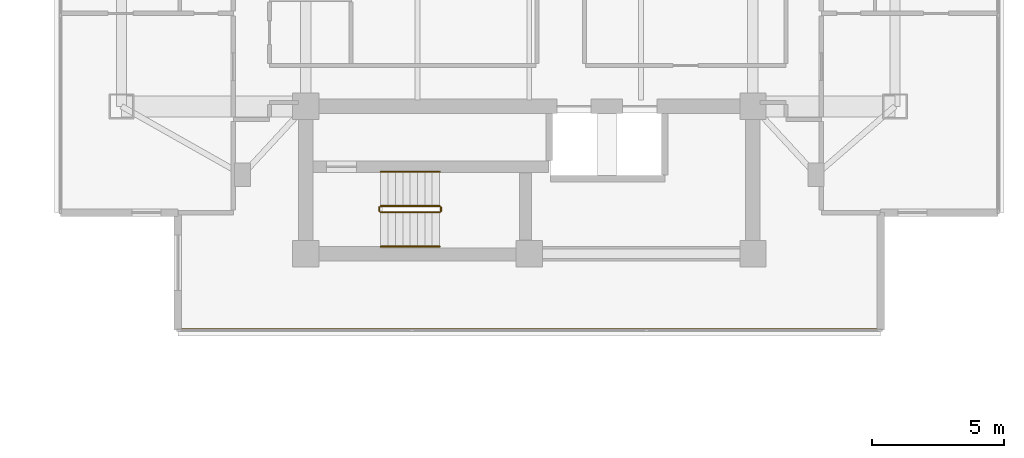
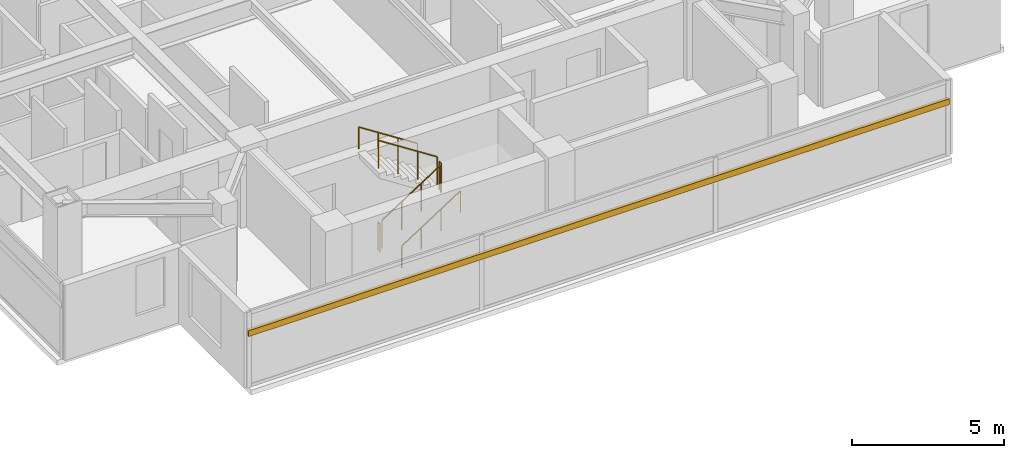
# One storey, part 24 of 26: 6 railings, 1 shading device.
"""IFC4 building model written with IfcOpenShell, lengths in metres."""

from ifc_helpers import new_model, si_unit, direction, frame, origin, origin_2d, place, context, subcontext, project, spatial, rectangle, circle, extrude, material, material_profile, profile_set, type_object, element, save


model = new_model("IFC4")

# Units and contexts
model_context = context("Model", 3, precision=1e-05, world=origin(), true_north=direction((0.0, 1.0)))
body_context = subcontext(model_context, "Body", "Model", "MODEL_VIEW")
ifc_project = project(units=[si_unit("LENGTHUNIT", "METRE"), si_unit("AREAUNIT", "SQUARE_METRE"), si_unit("VOLUMEUNIT", "CUBIC_METRE"), si_unit("PLANEANGLEUNIT", "RADIAN"), si_unit("MASSUNIT", "GRAM", prefix="KILO")], contexts=[model_context])

# Site, building, storey
site_placement = place(None, origin())
site = spatial("IfcSite", under=ifc_project, at=site_placement, CompositionType="ELEMENT")
building_placement = place(site_placement, origin())
building = spatial("IfcBuilding", under=site, at=building_placement, Name="Mirazonda Arch Towers", CompositionType="ELEMENT")
storey_placement = place(building_placement, frame((0.0, 0.0, 170.64990234375)))
storey = spatial("IfcBuildingStorey", under=building, at=storey_placement, Name="L48", CompositionType="ELEMENT", Elevation=170.64990234375)

# Shading device
ifc_material_1 = material(Name="Kiln-Fired Architectural Terracotta", Category="masonry")
ifc_material_profile = material_profile(ifc_material_1, rectangle(XDim=0.1201171875, YDim=0.239990234375, at=origin_2d()), Name="TERRA-BAG-120x240")
ifc_profile_set = profile_set([ifc_material_profile], Name="Kiln-Fired Architectural Terracotta")
shading_device_type = type_object("IfcShadingDeviceType", Name="BAGUETTE-1", PredefinedType="USERDEFINED", material=ifc_profile_set)
shading_device_placement = place(storey_placement, frame((89.857421875, 12.2919921875, 2.181640625), z_axis=(-1.0, 0.0, 0.0), x_axis=(0.0, -1.0, 0.0)))
element("IfcShadingDevice", 1, at=shading_device_placement, inside=storey, type_object=shading_device_type, Name="L48 Glazed Terracotta Sun-Screen Baguette CW-L48-T2-S", ObjectType="BAGUETTE", PredefinedType="USERDEFINED", context=body_context, shape_type="SweptSolid", body=[
    extrude(rectangle(XDim=0.1201171875, YDim=0.239990234375, at=origin_2d()), origin(), (0.0, 0.0, 1.0), 26.71484375),
])

# Railings
ifc_material_2 = material(Name="Architectural Brushed Steel S355", Category="steel")
railing_type_1 = type_object("IfcRailingType", Name="GUARD-STAIR-1120", PredefinedType="GUARDRAIL", material=ifc_material_2)
railing_1_placement = place(storey_placement, frame((70.85009765625, 16.77001953125, 0.1806640625)))
element("IfcRailing", 2, at=railing_1_placement, inside=storey, type_object=railing_type_1, Name="L48 ST-T2S stair guard 1", PredefinedType="GUARDRAIL", context=body_context, shape_type="SweptSolid", body=[
    extrude(circle(Radius=0.02392578125, at=origin_2d()), frame((0.0, 0.0, 1.1259765625), z_axis=(0.840436612492, 0.0, 0.541909863706), x_axis=(0.0, 1.0, 0.0)), (0.0, 0.0, 1.0), 2.665283203125),
    extrude(circle(Radius=0.02099609375, at=origin_2d()), origin(), (0.0, 0.0, 1.0), 1.101806640625),
    extrude(circle(Radius=0.02099609375, at=origin_2d()), frame((0.74658203125, 0.0, 0.4814453125)), (0.0, 0.0, 1.0), 1.101806640625),
    extrude(circle(Radius=0.02099609375, at=origin_2d()), frame((1.493408203125, 0.0, 0.962890625)), (0.0, 0.0, 1.0), 1.101806640625),
    extrude(circle(Radius=0.02099609375, at=origin_2d()), frame((2.239990234375, 0.0, 1.4443359375)), (0.0, 0.0, 1.0), 1.101806640625),
])
railing_2_placement = place(storey_placement, frame((73.139892578125, 16.820068359375, 1.625)))
element("IfcRailing", 3, at=railing_2_placement, inside=storey, type_object=railing_type_1, Name="L48 ST-T2S stair guard 2", PredefinedType="GUARDRAIL", context=body_context, shape_type="SweptSolid", body=[
    extrude(circle(Radius=0.02392578125, at=origin_2d()), frame((0.0, 0.0, 1.1259765625), z_axis=(0.0, 1.0, 0.0), x_axis=(-1.0, 0.0, 0.0)), (0.0, 0.0, 1.0), 0.139892578125),
    extrude(circle(Radius=0.02099609375, at=origin_2d()), origin(), (0.0, 0.0, 1.0), 1.101806640625),
    extrude(circle(Radius=0.02099609375, at=origin_2d()), frame((0.0, 0.139892578125, 0.0)), (0.0, 0.0, 1.0), 1.101806640625),
])
railing_3_placement = place(storey_placement, frame((73.090087890625, 17.010009765625, 1.8056640625)))
element("IfcRailing", 4, at=railing_3_placement, inside=storey, type_object=railing_type_1, Name="L48 ST-T2S stair guard 3", PredefinedType="GUARDRAIL", context=body_context, shape_type="SweptSolid", body=[
    extrude(circle(Radius=0.02392578125, at=origin_2d()), frame((0.0, 0.0, 1.1259765625), z_axis=(-0.840436612492, 0.0, 0.541909863706), x_axis=(0.0, -1.0, 0.0)), (0.0, 0.0, 1.0), 2.665283203125),
    extrude(circle(Radius=0.02099609375, at=origin_2d()), origin(), (0.0, 0.0, 1.0), 1.101806640625),
    extrude(circle(Radius=0.02099609375, at=origin_2d()), frame((-0.74658203125, 0.0, 0.4814453125)), (0.0, 0.0, 1.0), 1.101806640625),
    extrude(circle(Radius=0.02099609375, at=origin_2d()), frame((-1.493408203125, 0.0, 0.962890625)), (0.0, 0.0, 1.0), 1.101806640625),
    extrude(circle(Radius=0.02099609375, at=origin_2d()), frame((-2.239990234375, 0.0, 1.4443359375)), (0.0, 0.0, 1.0), 1.101806640625),
])
railing_4_placement = place(storey_placement, frame((70.800048828125, 16.820068359375, 0.0)))
element("IfcRailing", 5, at=railing_4_placement, inside=storey, type_object=railing_type_1, Name="L48 ST-T2S stair guard 4", PredefinedType="GUARDRAIL", context=body_context, shape_type="SweptSolid", body=[
    extrude(circle(Radius=0.02392578125, at=origin_2d()), frame((0.0, 0.0, 1.1259765625), z_axis=(0.0, 1.0, 0.0), x_axis=(-1.0, 0.0, 0.0)), (0.0, 0.0, 1.0), 0.139892578125),
    extrude(circle(Radius=0.02099609375, at=origin_2d()), origin(), (0.0, 0.0, 1.0), 1.101806640625),
    extrude(circle(Radius=0.02099609375, at=origin_2d()), frame((0.0, 0.139892578125, 0.0)), (0.0, 0.0, 1.0), 1.101806640625),
])
railing_type_2 = type_object("IfcRailingType", Name="HANDRAIL-915", PredefinedType="HANDRAIL", material=ifc_material_2)
railing_5_placement = place(storey_placement, frame((70.85009765625, 15.469970703125, 0.1806640625)))
element("IfcRailing", 6, at=railing_5_placement, inside=storey, type_object=railing_type_2, Name="L48 ST-T2S stair handrail 1", PredefinedType="HANDRAIL", context=body_context, shape_type="SweptSolid", body=[
    extrude(circle(Radius=0.02392578125, at=origin_2d()), frame((0.0, 0.0, 0.8759765625), z_axis=(0.840436612492, 0.0, 0.541909863706), x_axis=(0.0, 1.0, 0.0)), (0.0, 0.0, 1.0), 2.665283203125),
    extrude(circle(Radius=0.02099609375, at=origin_2d()), origin(), (0.0, 0.0, 1.0), 0.851806640625),
    extrude(circle(Radius=0.02099609375, at=origin_2d()), frame((0.74658203125, 0.0, 0.4814453125)), (0.0, 0.0, 1.0), 0.851806640625),
    extrude(circle(Radius=0.02099609375, at=origin_2d()), frame((1.493408203125, 0.0, 0.962890625)), (0.0, 0.0, 1.0), 0.851806640625),
    extrude(circle(Radius=0.02099609375, at=origin_2d()), frame((2.239990234375, 0.0, 1.4443359375)), (0.0, 0.0, 1.0), 0.851806640625),
])
railing_6_placement = place(storey_placement, frame((73.090087890625, 18.31005859375, 1.8056640625)))
element("IfcRailing", 7, at=railing_6_placement, inside=storey, type_object=railing_type_2, Name="L48 ST-T2S stair handrail 2", PredefinedType="HANDRAIL", context=body_context, shape_type="SweptSolid", body=[
    extrude(circle(Radius=0.02392578125, at=origin_2d()), frame((0.0, 0.0, 0.8759765625), z_axis=(-0.840436612492, 0.0, 0.541909863706), x_axis=(0.0, -1.0, 0.0)), (0.0, 0.0, 1.0), 2.665283203125),
    extrude(circle(Radius=0.02099609375, at=origin_2d()), origin(), (0.0, 0.0, 1.0), 0.851806640625),
    extrude(circle(Radius=0.02099609375, at=origin_2d()), frame((-0.74658203125, 0.0, 0.4814453125)), (0.0, 0.0, 1.0), 0.851806640625),
    extrude(circle(Radius=0.02099609375, at=origin_2d()), frame((-1.493408203125, 0.0, 0.962890625)), (0.0, 0.0, 1.0), 0.851806640625),
    extrude(circle(Radius=0.02099609375, at=origin_2d()), frame((-2.239990234375, 0.0, 1.4443359375)), (0.0, 0.0, 1.0), 0.851806640625),
])

save(model, "model.ifc")
